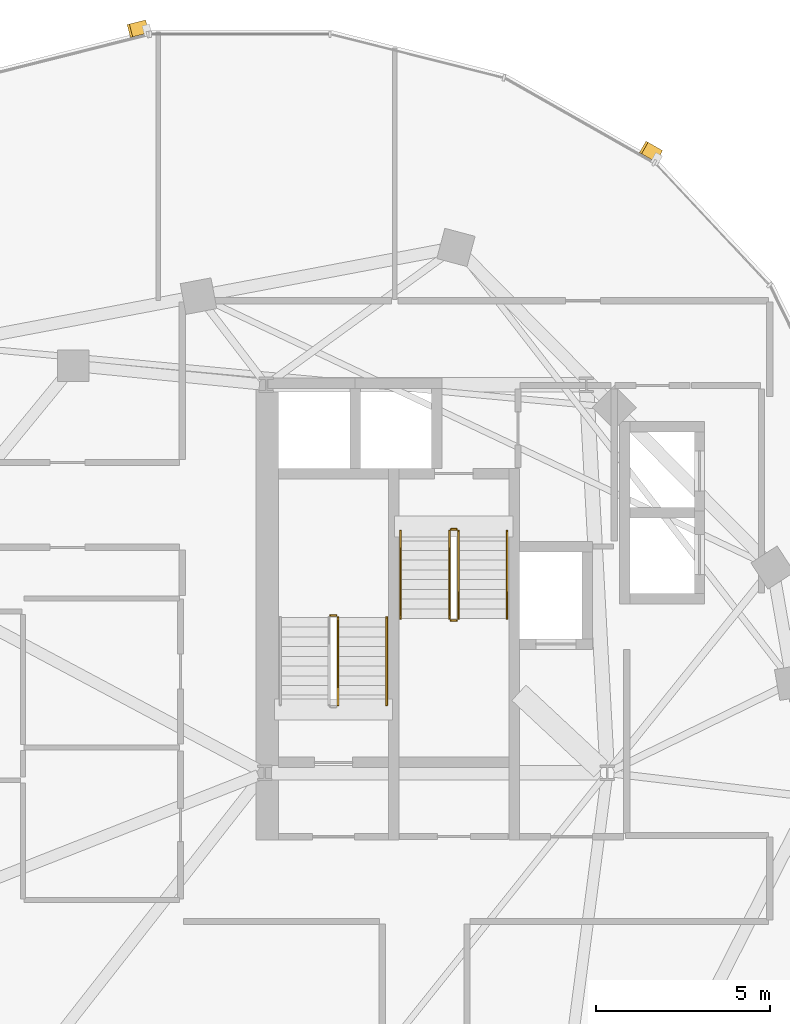
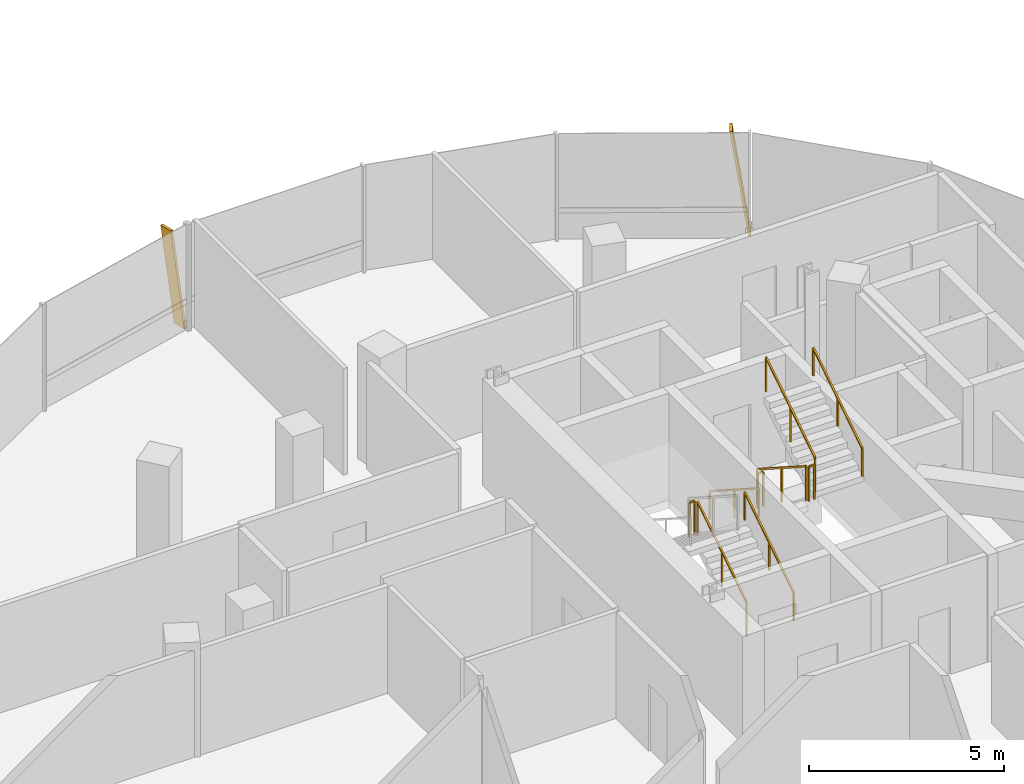
# One storey, part 23 of 25: 9 railings, 2 shading devices.
"""IFC4 building model written with IfcOpenShell, lengths in metres."""

from ifc_helpers import new_model, si_unit, direction, frame, origin, origin_2d, place, context, subcontext, project, spatial, rectangle, extrude, material, material_profile, profile_set, type_object, element, save


model = new_model("IFC4")

# Units and contexts
model_context = context("Model", 3, precision=1e-05, world=origin(), true_north=direction((0.0, 1.0)))
body_context = subcontext(model_context, "Body", "Model", "MODEL_VIEW")
ifc_project = project(units=[si_unit("LENGTHUNIT", "METRE"), si_unit("AREAUNIT", "SQUARE_METRE"), si_unit("VOLUMEUNIT", "CUBIC_METRE"), si_unit("PLANEANGLEUNIT", "RADIAN"), si_unit("MASSUNIT", "GRAM", prefix="KILO"), si_unit("THERMODYNAMICTEMPERATUREUNIT", "KELVIN"), si_unit("POWERUNIT", "WATT")], contexts=[model_context])

# Site, building, storey
site_placement = place(None, origin())
site = spatial("IfcSite", under=ifc_project, at=site_placement, CompositionType="ELEMENT")
building_placement = place(site_placement, origin())
building = spatial("IfcBuilding", under=site, at=building_placement, Name="Cundina Bronze Exchange", CompositionType="ELEMENT")
storey_placement = place(building_placement, frame((0.0, 0.0, 206.199951171875)))
storey = spatial("IfcBuildingStorey", under=building, at=storey_placement, Name="L54", CompositionType="ELEMENT", Elevation=206.199951171875)

# Railings
ifc_material_1 = material(Name="Steel ASTM A36 Painted", Category="steel")
railing_type_1 = type_object("IfcRailingType", Name="RLG-HND-900", PredefinedType="HANDRAIL", material=ifc_material_1)
railing_1_placement = place(storey_placement, frame((-27.7900390625, 5.85009765625, 0.179931640625)))
element("IfcRailing", 1, at=railing_1_placement, inside=storey, type_object=railing_type_1, Name="L54 ST-W1 stair handrail 1", PredefinedType="HANDRAIL", context=body_context, shape_type="SweptSolid", body=[
    extrude(rectangle(XDim=0.048095703125, YDim=0.048095703125, at=origin_2d()), frame((0.0, 0.0, 0.8759765625), z_axis=(0.0, 0.841162588446, 0.540782303519), x_axis=(-1.0, 0.0, 0.0)), (0.0, 0.0, 1.0), 2.995849609375),
    extrude(rectangle(XDim=0.0419921875, YDim=0.0419921875, at=origin_2d()), origin(), (0.0, 0.0, 1.0), 0.851806640625),
    extrude(rectangle(XDim=0.0419921875, YDim=0.0419921875, at=origin_2d()), frame((0.0, 1.260009765625, 0.81005859375)), (0.0, 0.0, 1.0), 0.851806640625),
    extrude(rectangle(XDim=0.0419921875, YDim=0.0419921875, at=origin_2d()), frame((0.0, 2.52001953125, 1.6201171875)), (0.0, 0.0, 1.0), 0.851806640625),
])
railing_2_placement = place(storey_placement, frame((-27.389892578125, 10.85009765625, 0.179931640625)))
element("IfcRailing", 2, at=railing_2_placement, inside=storey, type_object=railing_type_1, Name="L54 ST-W2 stair handrail 1", PredefinedType="HANDRAIL", context=body_context, shape_type="SweptSolid", body=[
    extrude(rectangle(XDim=0.048095703125, YDim=0.048095703125, at=origin_2d()), frame((0.0, 0.0, 0.8759765625), z_axis=(0.0, -0.841162588446, 0.540782303519), x_axis=(1.0, 0.0, 0.0)), (0.0, 0.0, 1.0), 2.995849609375),
    extrude(rectangle(XDim=0.0419921875, YDim=0.0419921875, at=origin_2d()), origin(), (0.0, 0.0, 1.0), 0.851806640625),
    extrude(rectangle(XDim=0.0419921875, YDim=0.0419921875, at=origin_2d()), frame((0.0, -1.260009765625, 0.81005859375)), (0.0, 0.0, 1.0), 0.851806640625),
    extrude(rectangle(XDim=0.0419921875, YDim=0.0419921875, at=origin_2d()), frame((0.0, -2.52001953125, 1.6201171875)), (0.0, 0.0, 1.0), 0.851806640625),
])
railing_3_placement = place(storey_placement, frame((-24.330078125, 8.330078125, 1.97998046875)))
element("IfcRailing", 3, at=railing_3_placement, inside=storey, type_object=railing_type_1, Name="L54 ST-W2 stair handrail 2", PredefinedType="HANDRAIL", context=body_context, shape_type="SweptSolid", body=[
    extrude(rectangle(XDim=0.048095703125, YDim=0.048095703125, at=origin_2d()), frame((0.0, 0.0, 0.8759765625), z_axis=(0.0, 0.841162588446, 0.540782303519), x_axis=(-1.0, 0.0, 0.0)), (0.0, 0.0, 1.0), 2.995849609375),
    extrude(rectangle(XDim=0.0419921875, YDim=0.0419921875, at=origin_2d()), origin(), (0.0, 0.0, 1.0), 0.851806640625),
    extrude(rectangle(XDim=0.0419921875, YDim=0.0419921875, at=origin_2d()), frame((0.0, 1.260009765625, 0.81005859375)), (0.0, 0.0, 1.0), 0.851806640625),
    extrude(rectangle(XDim=0.0419921875, YDim=0.0419921875, at=origin_2d()), frame((0.0, 2.52001953125, 1.6201171875)), (0.0, 0.0, 1.0), 0.851806640625),
])
railing_type_2 = type_object("IfcRailingType", Name="RLG-STG-1100", PredefinedType="GUARDRAIL", material=ifc_material_1)
railing_4_placement = place(storey_placement, frame((-29.18994140625, 5.85009765625, 0.179931640625)))
element("IfcRailing", 4, at=railing_4_placement, inside=storey, type_object=railing_type_2, Name="L54 ST-W1 stair guard 1", PredefinedType="GUARDRAIL", context=body_context, shape_type="SweptSolid", body=[
    extrude(rectangle(XDim=0.048095703125, YDim=0.048095703125, at=origin_2d()), frame((0.0, 0.0, 1.076171875), z_axis=(0.0, 0.841162588446, 0.540782303519), x_axis=(-1.0, 0.0, 0.0)), (0.0, 0.0, 1.0), 2.995849609375),
    extrude(rectangle(XDim=0.0419921875, YDim=0.0419921875, at=origin_2d()), origin(), (0.0, 0.0, 1.0), 1.052001953125),
    extrude(rectangle(XDim=0.0419921875, YDim=0.0419921875, at=origin_2d()), frame((0.0, 1.260009765625, 0.81005859375)), (0.0, 0.0, 1.0), 1.052001953125),
    extrude(rectangle(XDim=0.0419921875, YDim=0.0419921875, at=origin_2d()), frame((0.0, 2.52001953125, 1.6201171875)), (0.0, 0.0, 1.0), 1.052001953125),
])
railing_5_placement = place(storey_placement, frame((-29.239990234375, 8.419921875, 1.800048828125)))
element("IfcRailing", 5, at=railing_5_placement, inside=storey, type_object=railing_type_2, Name="L54 ST-W1 stair guard 2", PredefinedType="GUARDRAIL", context=body_context, shape_type="SweptSolid", body=[
    extrude(rectangle(XDim=0.048095703125, YDim=0.048095703125, at=origin_2d()), frame((0.0, 0.0, 1.076171875), z_axis=(-1.0, 0.0, 0.0), x_axis=(0.0, -1.0, 0.0)), (0.0, 0.0, 1.0), 0.159912109375),
    extrude(rectangle(XDim=0.0419921875, YDim=0.0419921875, at=origin_2d()), origin(), (0.0, 0.0, 1.0), 1.052001953125),
    extrude(rectangle(XDim=0.0419921875, YDim=0.0419921875, at=origin_2d()), frame((-0.159912109375, 0.0, 0.0)), (0.0, 0.0, 1.0), 1.052001953125),
])
railing_6_placement = place(storey_placement, frame((-25.989990234375, 10.85009765625, 0.179931640625)))
element("IfcRailing", 6, at=railing_6_placement, inside=storey, type_object=railing_type_2, Name="L54 ST-W2 stair guard 1", PredefinedType="GUARDRAIL", context=body_context, shape_type="SweptSolid", body=[
    extrude(rectangle(XDim=0.048095703125, YDim=0.048095703125, at=origin_2d()), frame((0.0, 0.0, 1.076171875), z_axis=(0.0, -0.841162588446, 0.540782303519), x_axis=(1.0, 0.0, 0.0)), (0.0, 0.0, 1.0), 2.995849609375),
    extrude(rectangle(XDim=0.0419921875, YDim=0.0419921875, at=origin_2d()), origin(), (0.0, 0.0, 1.0), 1.052001953125),
    extrude(rectangle(XDim=0.0419921875, YDim=0.0419921875, at=origin_2d()), frame((0.0, -1.260009765625, 0.81005859375)), (0.0, 0.0, 1.0), 1.052001953125),
    extrude(rectangle(XDim=0.0419921875, YDim=0.0419921875, at=origin_2d()), frame((0.0, -2.52001953125, 1.6201171875)), (0.0, 0.0, 1.0), 1.052001953125),
])
railing_7_placement = place(storey_placement, frame((-25.93994140625, 8.280029296875, 1.800048828125)))
element("IfcRailing", 7, at=railing_7_placement, inside=storey, type_object=railing_type_2, Name="L54 ST-W2 stair guard 2", PredefinedType="GUARDRAIL", context=body_context, shape_type="SweptSolid", body=[
    extrude(rectangle(XDim=0.048095703125, YDim=0.048095703125, at=origin_2d()), frame((0.0, 0.0, 1.076171875), z_axis=(1.0, 0.0, 0.0), x_axis=(0.0, 1.0, 0.0)), (0.0, 0.0, 1.0), 0.159912109375),
    extrude(rectangle(XDim=0.0419921875, YDim=0.0419921875, at=origin_2d()), origin(), (0.0, 0.0, 1.0), 1.052001953125),
    extrude(rectangle(XDim=0.0419921875, YDim=0.0419921875, at=origin_2d()), frame((0.159912109375, 0.0, 0.0)), (0.0, 0.0, 1.0), 1.052001953125),
])
railing_8_placement = place(storey_placement, frame((-25.72998046875, 8.330078125, 1.97998046875)))
element("IfcRailing", 8, at=railing_8_placement, inside=storey, type_object=railing_type_2, Name="L54 ST-W2 stair guard 3", PredefinedType="GUARDRAIL", context=body_context, shape_type="SweptSolid", body=[
    extrude(rectangle(XDim=0.048095703125, YDim=0.048095703125, at=origin_2d()), frame((0.0, 0.0, 1.076171875), z_axis=(0.0, 0.841162588446, 0.540782303519), x_axis=(-1.0, 0.0, 0.0)), (0.0, 0.0, 1.0), 2.995849609375),
    extrude(rectangle(XDim=0.0419921875, YDim=0.0419921875, at=origin_2d()), origin(), (0.0, 0.0, 1.0), 1.052001953125),
    extrude(rectangle(XDim=0.0419921875, YDim=0.0419921875, at=origin_2d()), frame((0.0, 1.260009765625, 0.81005859375)), (0.0, 0.0, 1.0), 1.052001953125),
    extrude(rectangle(XDim=0.0419921875, YDim=0.0419921875, at=origin_2d()), frame((0.0, 2.52001953125, 1.6201171875)), (0.0, 0.0, 1.0), 1.052001953125),
])
railing_9_placement = place(storey_placement, frame((-25.93994140625, 10.89990234375, 0.0)))
element("IfcRailing", 9, at=railing_9_placement, inside=storey, type_object=railing_type_2, Name="L54 ST-W2 stair guard 4", PredefinedType="GUARDRAIL", context=body_context, shape_type="SweptSolid", body=[
    extrude(rectangle(XDim=0.048095703125, YDim=0.048095703125, at=origin_2d()), frame((0.0, 0.0, 1.076171875), z_axis=(1.0, 0.0, 0.0), x_axis=(0.0, 1.0, 0.0)), (0.0, 0.0, 1.0), 0.159912109375),
    extrude(rectangle(XDim=0.0419921875, YDim=0.0419921875, at=origin_2d()), origin(), (0.0, 0.0, 1.0), 1.052001953125),
    extrude(rectangle(XDim=0.0419921875, YDim=0.0419921875, at=origin_2d()), frame((0.159912109375, 0.0, 0.0)), (0.0, 0.0, 1.0), 1.052001953125),
])

# Shading devices
ifc_material_2 = material(Name="Anodised Bronze Aluminium 6063-T6", Category="aluminium")
ifc_material_profile = material_profile(ifc_material_2, rectangle(XDim=0.070068359375, YDim=0.3798828125, at=origin_2d()), Name="FIN70X380", Category="aluminium")
ifc_profile_set = profile_set([ifc_material_profile], Name="Anodised Bronze Aluminium 6063-T6")
shading_device_type = type_object("IfcShadingDeviceType", Name="SHD-FIN-BRZ380", PredefinedType="USERDEFINED", material=ifc_profile_set)
for number, where, z_axis, x_axis, name in (
    (10, (-19.984375, 21.635498046875, 0.02001953125), (-0.125189514072, 0.071087145125, 0.989582843103), (0.860526986551, -0.488638423358, 0.143964567292), "L54 Diagonal Bronze Solar Fin 5"),
    (11, (-34.705810546875, 25.344482421875, 0.02001953125), (-0.139611891367, -0.03514090606, 0.989582556693), (0.959650042543, 0.24154799183, 0.143966536007), "L54 Diagonal Bronze Solar Fin 1"),
):
    element("IfcShadingDevice", number, at=place(storey_placement, frame(where, z_axis=z_axis, x_axis=x_axis)), inside=storey, type_object=shading_device_type, Name=name, ObjectType="FIN", PredefinedType="USERDEFINED", context=body_context, shape_type="SweptSolid", body=[
        extrude(rectangle(XDim=0.070068359375, YDim=0.3798828125, at=origin_2d()), origin(), (0.0, 0.0, 1.0), 3.334716796875),
    ])

save(model, "model.ifc")
